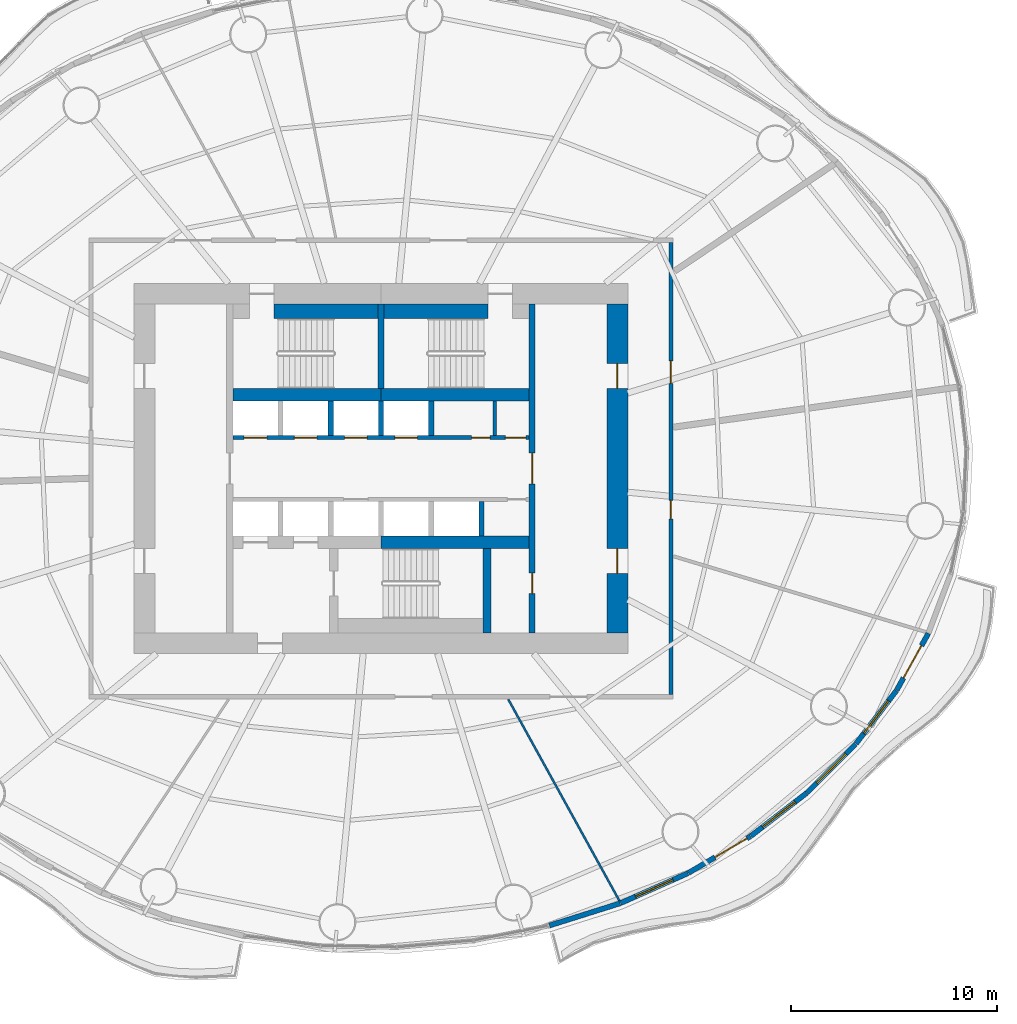
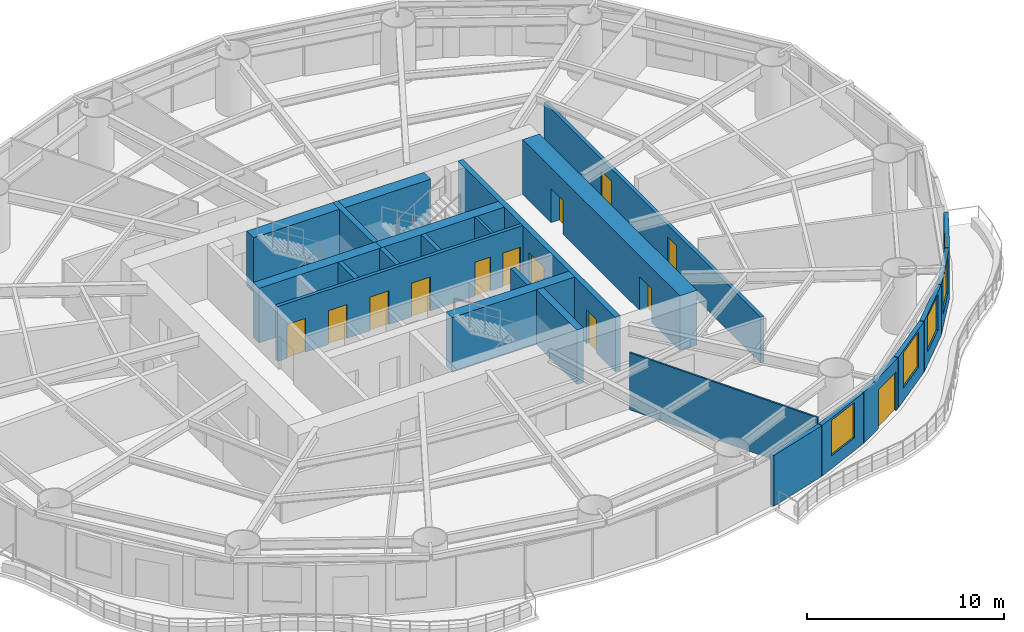
# One storey, part 9 of 16: 24 walls, 14 doors, 4 windows, 18 openings.
"""IFC4 building model written with IfcOpenShell, lengths in metres."""

from ifc_helpers import new_model, si_unit, direction, frame, frame_2d, origin, place, context, subcontext, project, spatial, rectangle, extrude, material, layer, layer_set, type_object, element, fill, save


model = new_model("IFC4")

# Units and contexts
model_context = context("Model", 3, precision=1e-05, world=origin(), true_north=direction((0.0, 1.0)))
body_context = subcontext(model_context, "Body", "Model", "MODEL_VIEW")
ifc_project = project(units=[si_unit("LENGTHUNIT", "METRE"), si_unit("AREAUNIT", "SQUARE_METRE"), si_unit("VOLUMEUNIT", "CUBIC_METRE"), si_unit("PLANEANGLEUNIT", "RADIAN"), si_unit("MASSUNIT", "GRAM", prefix="KILO")], contexts=[model_context])

# Site, building, storey
site_placement = place(None, origin())
site = spatial("IfcSite", under=ifc_project, at=site_placement, CompositionType="ELEMENT")
building_placement = place(site_placement, origin())
building = spatial("IfcBuilding", under=site, at=building_placement, Name="Vermilion Reach Broadcast Tower", CompositionType="ELEMENT")
storey_placement = place(building_placement, frame((0.0, 0.0, 43.39990234375)))
storey = spatial("IfcBuildingStorey", under=building, at=storey_placement, Name="L07", CompositionType="ELEMENT", Elevation=43.39990234375)

# Wall, openings, doors
ifc_material_1 = material(Name="Concrete C70", Category="concrete")
ifc_layer_1 = layer(ifc_material_1, 0.300048828125)
ifc_layer_set_1 = layer_set([ifc_layer_1], Name="Core inner wall 300 mm Concrete C70")
wall_type_1 = type_object("IfcWallType", Name="Core inner wall 300 mm Concrete C70", PredefinedType="SHEAR", material=ifc_layer_set_1)
wall_1_placement = place(storey_placement, frame((1.35009765625, -8.0, 0.0), z_axis=(0.0, 0.0, 1.0), x_axis=(0.0, 1.0, 0.0)))
wall_1 = element("IfcWall", 1, at=wall_1_placement, inside=storey, type_object=wall_type_1, Name="L07 core wall ewE", PredefinedType="SHEAR", context=body_context, shape_type="SweptSolid", body=[
    extrude(rectangle(XDim=16.0, YDim=0.300048828125, at=frame_2d((8.0, 0.0))), origin(), (0.0, 0.0, 1.0), 3.400146484375),
])
opening_1_placement = place(wall_1_placement, frame((1.909912109375, 0.0, 0.0)))
opening_1 = element("IfcOpeningElement", 2, at=opening_1_placement, cuts=wall_1, Name="Opening D05", PredefinedType="OPENING", context=body_context, shape_type="SweptSolid", body=[
    extrude(rectangle(XDim=1.0, YDim=2.10009765625, at=frame_2d((0.5, 1.050048828125))), frame((0.0, 0.159912109375, 0.0), z_axis=(0.0, -1.0, 0.0), x_axis=(1.0, 0.0, 0.0)), (0.0, 0.0, 1.0), 0.320068359375),
])
opening_2_placement = place(wall_1_placement, frame((7.25, 0.0, 0.0)))
opening_2 = element("IfcOpeningElement", 3, at=opening_2_placement, cuts=wall_1, Name="Opening D04", PredefinedType="OPENING", context=body_context, shape_type="SweptSolid", body=[
    extrude(rectangle(XDim=1.5, YDim=2.10009765625, at=frame_2d((0.75, 1.050048828125))), frame((0.0, 0.159912109375, 0.0), z_axis=(0.0, -1.0, 0.0), x_axis=(1.0, 0.0, 0.0)), (0.0, 0.0, 1.0), 0.320068359375),
])
ifc_material_2 = material(Name="Painted steel fire door", Category="steel")
door_type_1 = type_object("IfcDoorType", Name="Lift lobby door 1500 x 2100", OperationType="DOUBLE_DOOR_SINGLE_SWING", PredefinedType="NOTDEFINED", material=ifc_material_2)
door_1_placement = place(opening_2_placement, origin())
door_1 = element("IfcDoor", 4, at=door_1_placement, inside=storey, type_object=door_type_1, Name="L07 band door BE", OperationType="DOUBLE_DOOR_SINGLE_SWING", OverallHeight=2.10009765625, OverallWidth=1.5, PredefinedType="NOTDEFINED", context=body_context, shape_type="SweptSolid", body=[
    extrude(rectangle(XDim=1.5, YDim=2.10009765625, at=frame_2d((0.75, 1.050048828125))), frame((0.0, 0.02490234375, 0.0), z_axis=(0.0, -1.0, 0.0), x_axis=(1.0, 0.0, 0.0)), (0.0, 0.0, 1.0), 0.050048828125),
])
fill(opening_2, door_1)
ifc_material_3 = material(Name="Timber door", Category="wood")
door_type_2 = type_object("IfcDoorType", Name="Room door 1000 x 2100", OperationType="NOTDEFINED", PredefinedType="NOTDEFINED", material=ifc_material_3)
door_2_placement = place(opening_1_placement, origin())
door_2 = element("IfcDoor", 5, at=door_2_placement, inside=storey, type_object=door_type_2, Name="L07 door SER", OperationType="SINGLE_SWING_LEFT", OverallHeight=2.10009765625, OverallWidth=1.0, PredefinedType="NOTDEFINED", context=body_context, shape_type="SweptSolid", body=[
    extrude(rectangle(XDim=1.0, YDim=2.10009765625, at=frame_2d((0.5, 1.050048828125))), frame((0.0, 0.02490234375, 0.0), z_axis=(0.0, -1.0, 0.0), x_axis=(1.0, 0.0, 0.0)), (0.0, 0.0, 1.0), 0.050048828125),
])
fill(opening_1, door_2)

# Walls
wall_2_placement = place(storey_placement, frame((-6.0, 3.8798828125, 0.0), z_axis=(0.0, 0.0, 1.0), x_axis=(0.0, 1.0, 0.0)))
element("IfcWall", 6, at=wall_2_placement, inside=storey, type_object=wall_type_1, Name="L07 core wall wc", PredefinedType="SHEAR", context=body_context, shape_type="SweptSolid", body=[
    extrude(rectangle(XDim=4.1201171875, YDim=0.300048828125, at=frame_2d((2.06005859375, 0.0))), origin(), (0.0, 0.0, 1.0), 3.400146484375),
])
ifc_material_4 = material(Name="Concrete C70", Category="concrete")
ifc_layer_2 = layer(ifc_material_4, 0.39990234375)
ifc_layer_set_2 = layer_set([ifc_layer_2], Name="Core inner wall 400 mm Concrete C70")
wall_type_2 = type_object("IfcWallType", Name="Core inner wall 400 mm Concrete C70", PredefinedType="SHEAR", material=ifc_layer_set_2)
wall_3_placement = place(storey_placement, frame((-0.85009765625, -3.8798828125, 0.0), z_axis=(0.0, 0.0, 1.0), x_axis=(0.0, -1.0, 0.0)))
element("IfcWall", 7, at=wall_3_placement, inside=storey, type_object=wall_type_2, Name="L07 core wall wb", PredefinedType="SHEAR", context=body_context, shape_type="SweptSolid", body=[
    extrude(rectangle(XDim=4.1201171875, YDim=0.39990234375, at=frame_2d((2.06005859375, 0.0))), origin(), (0.0, 0.0, 1.0), 3.400146484375),
])
ifc_material_5 = material(Name="Concrete C70", Category="concrete")
ifc_layer_3 = layer(ifc_material_5, 0.60009765625)
ifc_layer_set_3 = layer_set([ifc_layer_3], Name="Core inner wall 600 mm Concrete C70")
wall_type_3 = type_object("IfcWallType", Name="Core inner wall 600 mm Concrete C70", PredefinedType="SHEAR", material=ifc_layer_set_3)
for number, where, z_axis, x_axis, name in (
    (8, (-13.199951171875, 3.580078125, 0.0), (0.0, 0.0, 1.0), (1.0, 0.0, 0.0), "L07 core wall winW"),
    (9, (-6.0, 3.580078125, 0.0), (0.0, 0.0, 1.0), (1.0, 0.0, 0.0), "L07 core wall winE"),
    (10, (-6.0, -3.580078125, 0.0), (0.0, 0.0, 1.0), (1.0, 0.0, 0.0), "L07 core wall wisE"),
):
    element("IfcWall", number, at=place(storey_placement, frame(where, z_axis=z_axis, x_axis=x_axis)), inside=storey, type_object=wall_type_3, Name=name, PredefinedType="SHEAR", context=body_context, shape_type="SweptSolid", body=[
        extrude(rectangle(XDim=7.199951171875, YDim=0.60009765625, at=frame_2d((3.60009765625, 0.0))), origin(), (0.0, 0.0, 1.0), 3.400146484375),
    ])

# Wall, openings, doors
ifc_material_6 = material(Name="Concrete C70", Category="concrete")
ifc_layer_4 = layer(ifc_material_6, 1.0)
ifc_layer_set_4 = layer_set([ifc_layer_4], Name="Core outer wall 1000 mm Concrete C70")
wall_type_4 = type_object("IfcWallType", Name="Core outer wall 1000 mm Concrete C70", PredefinedType="SHEAR", material=ifc_layer_set_4)
wall_4_placement = place(storey_placement, frame((5.5, -8.0, 0.0), z_axis=(0.0, 0.0, 1.0), x_axis=(0.0, 1.0, 0.0)))
wall_4 = element("IfcWall", 11, at=wall_4_placement, inside=storey, type_object=wall_type_4, Name="L07 core wall oe", PredefinedType="SHEAR", context=body_context, shape_type="SweptSolid", body=[
    extrude(rectangle(XDim=16.0, YDim=1.0, at=frame_2d((8.0, 0.0))), origin(), (0.0, 0.0, 1.0), 3.400146484375),
])
opening_3_placement = place(wall_4_placement, frame((2.89990234375, 0.0, 0.0)))
opening_3 = element("IfcOpeningElement", 12, at=opening_3_placement, cuts=wall_4, Name="Opening D03", PredefinedType="OPENING", context=body_context, shape_type="SweptSolid", body=[
    extrude(rectangle(XDim=1.199951171875, YDim=2.10009765625, at=frame_2d((0.60009765625, 1.050048828125))), frame((0.0, 0.510009765625, 0.0), z_axis=(0.0, -1.0, 0.0), x_axis=(1.0, 0.0, 0.0)), (0.0, 0.0, 1.0), 1.02001953125),
])
opening_4_placement = place(wall_4_placement, frame((11.89990234375, 0.0, 0.0)))
opening_4 = element("IfcOpeningElement", 13, at=opening_4_placement, cuts=wall_4, Name="Opening D03", PredefinedType="OPENING", context=body_context, shape_type="SweptSolid", body=[
    extrude(rectangle(XDim=1.199951171875, YDim=2.10009765625, at=frame_2d((0.60009765625, 1.050048828125))), frame((0.0, 0.510009765625, 0.0), z_axis=(0.0, -1.0, 0.0), x_axis=(1.0, 0.0, 0.0)), (0.0, 0.0, 1.0), 1.02001953125),
])
ifc_material_7 = material(Name="Painted steel fire door", Category="steel")
door_type_3 = type_object("IfcDoorType", Name="Core lobby door 1200 x 2100", OperationType="DOUBLE_DOOR_SINGLE_SWING", PredefinedType="NOTDEFINED", material=ifc_material_7)
door_3_placement = place(opening_3_placement, origin())
door_3 = element("IfcDoor", 14, at=door_3_placement, inside=storey, type_object=door_type_3, Name="L07 slot door E0", OperationType="DOUBLE_DOOR_SINGLE_SWING", OverallHeight=2.10009765625, OverallWidth=1.199951171875, PredefinedType="NOTDEFINED", context=body_context, shape_type="SweptSolid", body=[
    extrude(rectangle(XDim=1.199951171875, YDim=2.10009765625, at=frame_2d((0.60009765625, 1.050048828125))), frame((0.0, 0.02490234375, 0.0), z_axis=(0.0, -1.0, 0.0), x_axis=(1.0, 0.0, 0.0)), (0.0, 0.0, 1.0), 0.050048828125),
])
fill(opening_3, door_3)
door_4_placement = place(opening_4_placement, origin())
door_4 = element("IfcDoor", 15, at=door_4_placement, inside=storey, type_object=door_type_3, Name="L07 slot door E1", OperationType="DOUBLE_DOOR_SINGLE_SWING", OverallHeight=2.10009765625, OverallWidth=1.199951171875, PredefinedType="NOTDEFINED", context=body_context, shape_type="SweptSolid", body=[
    extrude(rectangle(XDim=1.199951171875, YDim=2.10009765625, at=frame_2d((0.60009765625, 1.050048828125))), frame((0.0, 0.02490234375, 0.0), z_axis=(0.0, -1.0, 0.0), x_axis=(1.0, 0.0, 0.0)), (0.0, 0.0, 1.0), 0.050048828125),
])
fill(opening_4, door_4)

# Wall
ifc_material_8 = material(Name="Masonry block", Category="masonry")
ifc_layer_5 = layer(ifc_material_8, 0.14990234375)
ifc_layer_set_5 = layer_set([ifc_layer_5], Name="Core partition wall 150 mm Masonry block")
wall_type_5 = type_object("IfcWallType", Name="Core partition wall 150 mm Masonry block", PredefinedType="PARTITIONING", material=ifc_layer_set_5)
wall_5_placement = place(storey_placement, frame((-0.468017578125, 1.60009765625, 0.0), z_axis=(0.0, 0.0, 1.0), x_axis=(0.0, 1.0, 0.0)))
element("IfcWall", 16, at=wall_5_placement, inside=storey, type_object=wall_type_5, Name="L07 core wall prN5532", PredefinedType="PARTITIONING", context=body_context, shape_type="SweptSolid", body=[
    extrude(rectangle(XDim=1.679931640625, YDim=0.14990234375, at=frame_2d((0.83984375, 0.0))), origin(), (0.0, 0.0, 1.0), 3.400146484375),
])

# Wall, openings, doors
ifc_material_9 = material(Name="Concrete C50", Category="concrete")
ifc_layer_6 = layer(ifc_material_9, 0.199951171875)
ifc_layer_set_6 = layer_set([ifc_layer_6], Name="Core shaft wall 200 mm Concrete C50")
wall_type_6 = type_object("IfcWallType", Name="Core shaft wall 200 mm Concrete C50", PredefinedType="SHEAR", material=ifc_layer_set_6)
wall_6_placement = place(storey_placement, frame((-13.199951171875, 1.5, 0.0), z_axis=(0.0, 0.0, 1.0), x_axis=(1.0, 0.0, 0.0)))
wall_6 = element("IfcWall", 17, at=wall_6_placement, inside=storey, type_object=wall_type_6, Name="L07 core wall fn", PredefinedType="SHEAR", context=body_context, shape_type="SweptSolid", body=[
    extrude(rectangle(XDim=14.39990234375, YDim=0.199951171875, at=frame_2d((7.199951171875, 0.0))), origin(), (0.0, 0.0, 1.0), 3.400146484375),
])
opening_5_placement = place(wall_6_placement, frame((0.5458984375, 0.0, 0.0)))
opening_5 = element("IfcOpeningElement", 18, at=opening_5_placement, cuts=wall_6, Name="Opening LD2", PredefinedType="OPENING", context=body_context, shape_type="SweptSolid", body=[
    extrude(rectangle(XDim=1.10009765625, YDim=2.10009765625, at=frame_2d((0.550048828125, 1.050048828125))), frame((0.0, 0.10986328125, 0.0), z_axis=(0.0, -1.0, 0.0), x_axis=(1.0, 0.0, 0.0)), (0.0, 0.0, 1.0), 0.219970703125),
])
opening_6_placement = place(wall_6_placement, frame((2.987548828125, 0.0, 0.0)))
opening_6 = element("IfcOpeningElement", 19, at=opening_6_placement, cuts=wall_6, Name="Opening LD2", PredefinedType="OPENING", context=body_context, shape_type="SweptSolid", body=[
    extrude(rectangle(XDim=1.10009765625, YDim=2.10009765625, at=frame_2d((0.550048828125, 1.050048828125))), frame((0.0, 0.10986328125, 0.0), z_axis=(0.0, -1.0, 0.0), x_axis=(1.0, 0.0, 0.0)), (0.0, 0.0, 1.0), 0.219970703125),
])
opening_7_placement = place(wall_6_placement, frame((5.42919921875, 0.0, 0.0)))
opening_7 = element("IfcOpeningElement", 20, at=opening_7_placement, cuts=wall_6, Name="Opening LD2", PredefinedType="OPENING", context=body_context, shape_type="SweptSolid", body=[
    extrude(rectangle(XDim=1.10009765625, YDim=2.10009765625, at=frame_2d((0.550048828125, 1.050048828125))), frame((0.0, 0.10986328125, 0.0), z_axis=(0.0, -1.0, 0.0), x_axis=(1.0, 0.0, 0.0)), (0.0, 0.0, 1.0), 0.219970703125),
])
opening_8_placement = place(wall_6_placement, frame((7.870849609375, 0.0, 0.0)))
opening_8 = element("IfcOpeningElement", 21, at=opening_8_placement, cuts=wall_6, Name="Opening LD2", PredefinedType="OPENING", context=body_context, shape_type="SweptSolid", body=[
    extrude(rectangle(XDim=1.10009765625, YDim=2.10009765625, at=frame_2d((0.550048828125, 1.050048828125))), frame((0.0, 0.10986328125, 0.0), z_axis=(0.0, -1.0, 0.0), x_axis=(1.0, 0.0, 0.0)), (0.0, 0.0, 1.0), 0.219970703125),
])
opening_9_placement = place(wall_6_placement, frame((11.60693359375, 0.0, 0.0)))
opening_9 = element("IfcOpeningElement", 22, at=opening_9_placement, cuts=wall_6, Name="Opening D06", PredefinedType="OPENING", context=body_context, shape_type="SweptSolid", body=[
    extrude(rectangle(XDim=0.89990234375, YDim=2.10009765625, at=frame_2d((0.449951171875, 1.050048828125))), frame((0.0, 0.10986328125, 0.0), z_axis=(0.0, -1.0, 0.0), x_axis=(1.0, 0.0, 0.0)), (0.0, 0.0, 1.0), 0.219970703125),
])
opening_10_placement = place(wall_6_placement, frame((13.25, 0.0, 0.0)))
opening_10 = element("IfcOpeningElement", 23, at=opening_10_placement, cuts=wall_6, Name="Opening D07", PredefinedType="OPENING", context=body_context, shape_type="SweptSolid", body=[
    extrude(rectangle(XDim=1.0, YDim=2.10009765625, at=frame_2d((0.5, 1.050048828125))), frame((0.0, 0.10986328125, 0.0), z_axis=(0.0, -1.0, 0.0), x_axis=(1.0, 0.0, 0.0)), (0.0, 0.0, 1.0), 0.219970703125),
])
ifc_material_10 = material(Name="Timber door", Category="wood")
door_type_4 = type_object("IfcDoorType", Name="Accessible WC door 1000 x 2100", OperationType="NOTDEFINED", PredefinedType="NOTDEFINED", material=ifc_material_10)
door_5_placement = place(opening_10_placement, origin())
door_5 = element("IfcDoor", 24, at=door_5_placement, inside=storey, type_object=door_type_4, Name="L07 door Accessible WC", OperationType="SINGLE_SWING_RIGHT", OverallHeight=2.10009765625, OverallWidth=1.0, PredefinedType="NOTDEFINED", context=body_context, shape_type="SweptSolid", body=[
    extrude(rectangle(XDim=1.0, YDim=2.10009765625, at=frame_2d((0.5, 1.050048828125))), frame((0.0, 0.02490234375, 0.0), z_axis=(0.0, -1.0, 0.0), x_axis=(1.0, 0.0, 0.0)), (0.0, 0.0, 1.0), 0.050048828125),
])
fill(opening_10, door_5)
ifc_material_11 = material(Name="Stainless steel", Category="steel")
door_type_5 = type_object("IfcDoorType", Name="Landing door 1100 x 2100", OperationType="DOUBLE_DOOR_SLIDING", PredefinedType="NOTDEFINED", material=ifc_material_11)
door_6_placement = place(opening_5_placement, origin())
door_6 = element("IfcDoor", 25, at=door_6_placement, inside=storey, type_object=door_type_5, Name="L07 landing door LR1", OperationType="DOUBLE_DOOR_SLIDING", OverallHeight=2.10009765625, OverallWidth=1.10009765625, PredefinedType="NOTDEFINED", context=body_context, shape_type="SweptSolid", body=[
    extrude(rectangle(XDim=1.10009765625, YDim=2.10009765625, at=frame_2d((0.550048828125, 1.050048828125))), frame((0.0, 0.02490234375, 0.0), z_axis=(0.0, -1.0, 0.0), x_axis=(1.0, 0.0, 0.0)), (0.0, 0.0, 1.0), 0.050048828125),
])
fill(opening_5, door_6)
door_7_placement = place(opening_6_placement, origin())
door_7 = element("IfcDoor", 26, at=door_7_placement, inside=storey, type_object=door_type_5, Name="L07 landing door LR2", OperationType="DOUBLE_DOOR_SLIDING", OverallHeight=2.10009765625, OverallWidth=1.10009765625, PredefinedType="NOTDEFINED", context=body_context, shape_type="SweptSolid", body=[
    extrude(rectangle(XDim=1.10009765625, YDim=2.10009765625, at=frame_2d((0.550048828125, 1.050048828125))), frame((0.0, 0.02490234375, 0.0), z_axis=(0.0, -1.0, 0.0), x_axis=(1.0, 0.0, 0.0)), (0.0, 0.0, 1.0), 0.050048828125),
])
fill(opening_6, door_7)
door_8_placement = place(opening_7_placement, origin())
door_8 = element("IfcDoor", 27, at=door_8_placement, inside=storey, type_object=door_type_5, Name="L07 landing door LR3", OperationType="DOUBLE_DOOR_SLIDING", OverallHeight=2.10009765625, OverallWidth=1.10009765625, PredefinedType="NOTDEFINED", context=body_context, shape_type="SweptSolid", body=[
    extrude(rectangle(XDim=1.10009765625, YDim=2.10009765625, at=frame_2d((0.550048828125, 1.050048828125))), frame((0.0, 0.02490234375, 0.0), z_axis=(0.0, -1.0, 0.0), x_axis=(1.0, 0.0, 0.0)), (0.0, 0.0, 1.0), 0.050048828125),
])
fill(opening_7, door_8)
door_9_placement = place(opening_8_placement, origin())
door_9 = element("IfcDoor", 28, at=door_9_placement, inside=storey, type_object=door_type_5, Name="L07 landing door LR4", OperationType="DOUBLE_DOOR_SLIDING", OverallHeight=2.10009765625, OverallWidth=1.10009765625, PredefinedType="NOTDEFINED", context=body_context, shape_type="SweptSolid", body=[
    extrude(rectangle(XDim=1.10009765625, YDim=2.10009765625, at=frame_2d((0.550048828125, 1.050048828125))), frame((0.0, 0.02490234375, 0.0), z_axis=(0.0, -1.0, 0.0), x_axis=(1.0, 0.0, 0.0)), (0.0, 0.0, 1.0), 0.050048828125),
])
fill(opening_8, door_9)
ifc_material_12 = material(Name="Timber door", Category="wood")
door_type_6 = type_object("IfcDoorType", Name="WC door 900 x 2100", OperationType="NOTDEFINED", PredefinedType="NOTDEFINED", material=ifc_material_12)
door_10_placement = place(opening_9_placement, origin())
door_10 = element("IfcDoor", 29, at=door_10_placement, inside=storey, type_object=door_type_6, Name="L07 door Female WC", OperationType="SINGLE_SWING_RIGHT", OverallHeight=2.10009765625, OverallWidth=0.89990234375, PredefinedType="NOTDEFINED", context=body_context, shape_type="SweptSolid", body=[
    extrude(rectangle(XDim=0.89990234375, YDim=2.10009765625, at=frame_2d((0.449951171875, 1.050048828125))), frame((0.0, 0.02490234375, 0.0), z_axis=(0.0, -1.0, 0.0), x_axis=(1.0, 0.0, 0.0)), (0.0, 0.0, 1.0), 0.050048828125),
])
fill(opening_9, door_10)

# Walls
ifc_material_13 = material(Name="Concrete C50", Category="concrete")
ifc_layer_7 = layer(ifc_material_13, 0.25)
ifc_layer_set_7 = layer_set([ifc_layer_7], Name="Core shaft wall 250 mm Concrete C50")
wall_type_7 = type_object("IfcWallType", Name="Core shaft wall 250 mm Concrete C50", PredefinedType="SHEAR", material=ifc_layer_set_7)
for number, where, z_axis, x_axis, name in (
    (30, (-8.441650390625, 1.60009765625, 0.0), (0.0, 0.0, 1.0), (0.0, 1.0, 0.0), "L07 core wall psN1"),
    (31, (-6.0, 1.60009765625, 0.0), (0.0, 0.0, 1.0), (0.0, 1.0, 0.0), "L07 core wall psN2"),
    (32, (-3.558349609375, 1.60009765625, 0.0), (0.0, 0.0, 1.0), (0.0, 1.0, 0.0), "L07 core wall psN3"),
    (33, (-1.11669921875, -1.60009765625, 0.0), (0.0, 0.0, 1.0), (0.0, -1.0, 0.0), "L07 core wall psS4"),
):
    element("IfcWall", number, at=place(storey_placement, frame(where, z_axis=z_axis, x_axis=x_axis)), inside=storey, type_object=wall_type_7, Name=name, PredefinedType="SHEAR", context=body_context, shape_type="SweptSolid", body=[
        extrude(rectangle(XDim=1.679931640625, YDim=0.25, at=frame_2d((0.83984375, 0.0))), origin(), (0.0, 0.0, 1.0), 3.400146484375),
    ])
ifc_material_14 = material(Name="Concrete C70", Category="concrete")
ifc_layer_8 = layer(ifc_material_14, 0.699951171875)
ifc_layer_set_8 = layer_set([ifc_layer_8], Name="Core stair wall 700 mm Concrete C70")
wall_type_8 = type_object("IfcWallType", Name="Core stair wall 700 mm Concrete C70", PredefinedType="SHEAR", material=ifc_layer_set_8)
for number, where, z_axis, x_axis, name in (
    (34, (-11.199951171875, 7.64990234375, 0.0), (0.0, 0.0, 1.0), (1.0, 0.0, 0.0), "L07 core wall l1b"),
    (35, (-5.85009765625, 7.64990234375, 0.0), (0.0, 0.0, 1.0), (1.0, 0.0, 0.0), "L07 core wall l2a"),
):
    element("IfcWall", number, at=place(storey_placement, frame(where, z_axis=z_axis, x_axis=x_axis)), inside=storey, type_object=wall_type_8, Name=name, PredefinedType="SHEAR", context=body_context, shape_type="SweptSolid", body=[
        extrude(rectangle(XDim=5.050048828125, YDim=0.699951171875, at=frame_2d((2.52490234375, 0.0))), origin(), (0.0, 0.0, 1.0), 3.400146484375),
    ])
ifc_material_15 = material(Name="Plasterboard on steel stud", Category="steel")
ifc_layer_9 = layer(ifc_material_15, 0.10009765625)
ifc_layer_set_9 = layer_set([ifc_layer_9], Name="Partition 100 steel stud")
wall_type_9 = type_object("IfcWallType", Name="Partition 100 steel stud", PredefinedType="PARTITIONING", material=ifc_layer_set_9)
wall_7_placement = place(storey_placement, frame((5.5947265625, -21.022705078125, 0.0), z_axis=(0.0, 0.0, 1.0), x_axis=(-0.482952757362, 0.875646409321, 0.0)))
element("IfcWall", 36, at=wall_7_placement, inside=storey, type_object=wall_type_9, Name="Partition 7.08", PredefinedType="PARTITIONING", context=body_context, shape_type="SweptSolid", body=[
    extrude(rectangle(XDim=11.190185546875, YDim=0.10009765625, at=frame_2d((5.59521484375, 0.0))), origin(), (0.0, 0.0, 1.0), 3.550048828125),
])
ifc_material_16 = material(Name="Terracotta rainscreen cladding", Category="masonry")
ifc_layer_10 = layer(ifc_material_16, 0.25)
ifc_layer_set_10 = layer_set([ifc_layer_10], Name="Terracotta rainscreen wall 250")
wall_type_10 = type_object("IfcWallType", Name="Terracotta rainscreen wall 250", PredefinedType="SOLIDWALL", material=ifc_layer_set_10)
wall_8_placement = place(storey_placement, frame((2.191162109375, -22.224365234375, 0.0), z_axis=(0.0, 0.0, 1.0), x_axis=(0.953906738278, 0.300103206694, 0.0)))
element("IfcWall", 37, at=wall_8_placement, inside=storey, type_object=wall_type_10, Name="External wall L07 38", PredefinedType="SOLIDWALL", context=body_context, shape_type="SweptSolid", body=[
    extrude(rectangle(XDim=3.60302734375, YDim=0.25, at=frame_2d((1.801513671875, 0.0))), origin(), (0.0, 0.0, 1.0), 3.150146484375),
])

# Wall, opening, window
wall_9_placement = place(storey_placement, frame((5.64892578125, -21.13525390625, 0.0), z_axis=(0.0, 0.0, 1.0), x_axis=(0.914061167201, 0.405576358552, 0.0)))
wall_9 = element("IfcWall", 38, at=wall_9_placement, inside=storey, type_object=wall_type_10, Name="External wall L07 39", PredefinedType="SOLIDWALL", context=body_context, shape_type="SweptSolid", body=[
    extrude(rectangle(XDim=3.587158203125, YDim=0.25, at=frame_2d((1.79345703125, 0.0))), origin(), (0.0, 0.0, 1.0), 3.150146484375),
])
opening_11_placement = place(wall_9_placement, frame((0.79345703125, 0.0, 0.800048828125)))
opening_11 = element("IfcOpeningElement", 39, at=opening_11_placement, cuts=wall_9, Name="Opening W01", PredefinedType="OPENING", context=body_context, shape_type="SweptSolid", body=[
    extrude(rectangle(XDim=2.0, YDim=2.199951171875, at=frame_2d((1.0, 1.10009765625))), frame((0.0, 0.135009765625, 0.0), z_axis=(0.0, -1.0, 0.0), x_axis=(1.0, 0.0, 0.0)), (0.0, 0.0, 1.0), 0.27001953125),
])
ifc_material_17 = material(Name="Low-e laminated clear glass in aluminium frame", Category="aluminium")
window_type = type_object("IfcWindowType", Name="Punched window 2000 x 2200 sill 800", PartitioningType="SINGLE_PANEL", PredefinedType="WINDOW", material=ifc_material_17)
window_1_placement = place(opening_11_placement, origin())
window_1 = element("IfcWindow", 40, at=window_1_placement, inside=storey, type_object=window_type, Name="Window L07 39", OverallHeight=2.199951171875, OverallWidth=2.0, PartitioningType="SINGLE_PANEL", PredefinedType="WINDOW", context=body_context, shape_type="SweptSolid", body=[
    extrude(rectangle(XDim=2.0, YDim=2.199951171875, at=frame_2d((1.0, 1.10009765625))), frame((0.0, 0.030029296875, 0.0), z_axis=(0.0, -1.0, 0.0), x_axis=(1.0, 0.0, 0.0)), (0.0, 0.0, 1.0), 0.06005859375),
])
fill(opening_11, window_1)

# Wall, opening, door
wall_10_placement = place(storey_placement, frame((8.947998046875, -19.670166015625, 0.0), z_axis=(0.0, 0.0, 1.0), x_axis=(0.860556783273, 0.509354515796, 0.0)))
wall_10 = element("IfcWall", 41, at=wall_10_placement, inside=storey, type_object=wall_type_10, Name="External wall L07 40", PredefinedType="SOLIDWALL", context=body_context, shape_type="SweptSolid", body=[
    extrude(rectangle(XDim=3.511962890625, YDim=0.25, at=frame_2d((1.755859375, 0.0))), origin(), (0.0, 0.0, 1.0), 3.150146484375),
])
opening_12_placement = place(wall_10_placement, frame((1.506103515625, 0.0, 0.0)))
opening_12 = element("IfcOpeningElement", 42, at=opening_12_placement, cuts=wall_10, Name="Opening D70", PredefinedType="OPENING", context=body_context, shape_type="SweptSolid", body=[
    extrude(rectangle(XDim=1.800048828125, YDim=2.39990234375, at=frame_2d((0.89990234375, 1.199951171875))), frame((0.0, 0.135009765625, 0.0), z_axis=(0.0, -1.0, 0.0), x_axis=(1.0, 0.0, 0.0)), (0.0, 0.0, 1.0), 0.27001953125),
])
ifc_material_18 = material(Name="Low-e laminated clear glass in aluminium frame", Category="aluminium")
door_type_7 = type_object("IfcDoorType", Name="Balcony sliding door 1800 x 2400", OperationType="DOUBLE_DOOR_SLIDING", PredefinedType="DOOR", material=ifc_material_18)
door_11_placement = place(opening_12_placement, origin())
door_11 = element("IfcDoor", 43, at=door_11_placement, inside=storey, type_object=door_type_7, Name="Balcony door L07 run 10", OperationType="DOUBLE_DOOR_SLIDING", OverallHeight=2.39990234375, OverallWidth=1.800048828125, PredefinedType="DOOR", context=body_context, shape_type="SweptSolid", body=[
    extrude(rectangle(XDim=1.800048828125, YDim=2.39990234375, at=frame_2d((0.89990234375, 1.199951171875))), frame((0.0, 0.02490234375, 0.0), z_axis=(0.0, -1.0, 0.0), x_axis=(1.0, 0.0, 0.0)), (0.0, 0.0, 1.0), 0.050048828125),
])
fill(opening_12, door_11)

# Wall, opening, window
wall_11_placement = place(storey_placement, frame((11.989501953125, -17.8681640625, 0.0), z_axis=(0.0, 0.0, 1.0), x_axis=(0.792064745515, 0.610437088415, 0.0)))
wall_11 = element("IfcWall", 44, at=wall_11_placement, inside=storey, type_object=wall_type_10, Name="External wall L07 41", PredefinedType="SOLIDWALL", context=body_context, shape_type="SweptSolid", body=[
    extrude(rectangle(XDim=3.42626953125, YDim=0.25, at=frame_2d((1.713134765625, 0.0))), origin(), (0.0, 0.0, 1.0), 3.150146484375),
])
opening_13_placement = place(wall_11_placement, frame((0.713134765625, 0.0, 0.800048828125)))
opening_13 = element("IfcOpeningElement", 45, at=opening_13_placement, cuts=wall_11, Name="Opening W01", PredefinedType="OPENING", context=body_context, shape_type="SweptSolid", body=[
    extrude(rectangle(XDim=2.0, YDim=2.199951171875, at=frame_2d((1.0, 1.10009765625))), frame((0.0, 0.135009765625, 0.0), z_axis=(0.0, -1.0, 0.0), x_axis=(1.0, 0.0, 0.0)), (0.0, 0.0, 1.0), 0.27001953125),
])
window_2_placement = place(opening_13_placement, origin())
window_2 = element("IfcWindow", 46, at=window_2_placement, inside=storey, type_object=window_type, Name="Window L07 41", OverallHeight=2.199951171875, OverallWidth=2.0, PartitioningType="SINGLE_PANEL", PredefinedType="WINDOW", context=body_context, shape_type="SweptSolid", body=[
    extrude(rectangle(XDim=2.0, YDim=2.199951171875, at=frame_2d((1.0, 1.10009765625))), frame((0.0, 0.030029296875, 0.0), z_axis=(0.0, -1.0, 0.0), x_axis=(1.0, 0.0, 0.0)), (0.0, 0.0, 1.0), 0.06005859375),
])
fill(opening_13, window_2)

wall_12_placement = place(storey_placement, frame((14.721435546875, -15.7607421875, 0.0), z_axis=(0.0, 0.0, 1.0), x_axis=(0.707362946123, 0.706850523415, 0.0)))
wall_12 = element("IfcWall", 47, at=wall_12_placement, inside=storey, type_object=wall_type_10, Name="External wall L07 42", PredefinedType="SOLIDWALL", context=body_context, shape_type="SweptSolid", body=[
    extrude(rectangle(XDim=3.335205078125, YDim=0.25, at=frame_2d((1.66748046875, 0.0))), origin(), (0.0, 0.0, 1.0), 3.150146484375),
])
opening_14_placement = place(wall_12_placement, frame((0.667724609375, 0.0, 0.800048828125)))
opening_14 = element("IfcOpeningElement", 48, at=opening_14_placement, cuts=wall_12, Name="Opening W01", PredefinedType="OPENING", context=body_context, shape_type="SweptSolid", body=[
    extrude(rectangle(XDim=2.0, YDim=2.199951171875, at=frame_2d((1.0, 1.10009765625))), frame((0.0, 0.135009765625, 0.0), z_axis=(0.0, -1.0, 0.0), x_axis=(1.0, 0.0, 0.0)), (0.0, 0.0, 1.0), 0.27001953125),
])
window_3_placement = place(opening_14_placement, origin())
window_3 = element("IfcWindow", 49, at=window_3_placement, inside=storey, type_object=window_type, Name="Window L07 42", OverallHeight=2.199951171875, OverallWidth=2.0, PartitioningType="SINGLE_PANEL", PredefinedType="WINDOW", context=body_context, shape_type="SweptSolid", body=[
    extrude(rectangle(XDim=2.0, YDim=2.199951171875, at=frame_2d((1.0, 1.10009765625))), frame((0.0, 0.030029296875, 0.0), z_axis=(0.0, -1.0, 0.0), x_axis=(1.0, 0.0, 0.0)), (0.0, 0.0, 1.0), 0.06005859375),
])
fill(opening_14, window_3)

wall_13_placement = place(storey_placement, frame((17.09716796875, -13.384521484375, 0.0), z_axis=(0.0, 0.0, 1.0), x_axis=(0.605655469581, 0.795726996002, 0.0)))
wall_13 = element("IfcWall", 50, at=wall_13_placement, inside=storey, type_object=wall_type_10, Name="External wall L07 43", PredefinedType="SOLIDWALL", context=body_context, shape_type="SweptSolid", body=[
    extrude(rectangle(XDim=3.24462890625, YDim=0.25, at=frame_2d((1.622314453125, 0.0))), origin(), (0.0, 0.0, 1.0), 3.150146484375),
])
opening_15_placement = place(wall_13_placement, frame((0.622314453125, 0.0, 0.800048828125)))
opening_15 = element("IfcOpeningElement", 51, at=opening_15_placement, cuts=wall_13, Name="Opening W01", PredefinedType="OPENING", context=body_context, shape_type="SweptSolid", body=[
    extrude(rectangle(XDim=2.0, YDim=2.199951171875, at=frame_2d((1.0, 1.10009765625))), frame((0.0, 0.135009765625, 0.0), z_axis=(0.0, -1.0, 0.0), x_axis=(1.0, 0.0, 0.0)), (0.0, 0.0, 1.0), 0.27001953125),
])
window_4_placement = place(opening_15_placement, origin())
window_4 = element("IfcWindow", 52, at=window_4_placement, inside=storey, type_object=window_type, Name="Window L07 43", OverallHeight=2.199951171875, OverallWidth=2.0, PartitioningType="SINGLE_PANEL", PredefinedType="WINDOW", context=body_context, shape_type="SweptSolid", body=[
    extrude(rectangle(XDim=2.0, YDim=2.199951171875, at=frame_2d((1.0, 1.10009765625))), frame((0.0, 0.030029296875, 0.0), z_axis=(0.0, -1.0, 0.0), x_axis=(1.0, 0.0, 0.0)), (0.0, 0.0, 1.0), 0.06005859375),
])
fill(opening_15, window_4)

# Wall, opening, door
wall_14_placement = place(storey_placement, frame((19.076171875, -10.781005859375, 0.0), z_axis=(0.0, 0.0, 1.0), x_axis=(0.486652480259, 0.873595652152, 0.0)))
wall_14 = element("IfcWall", 53, at=wall_14_placement, inside=storey, type_object=wall_type_10, Name="External wall L07 44", PredefinedType="SOLIDWALL", context=body_context, shape_type="SweptSolid", body=[
    extrude(rectangle(XDim=3.1611328125, YDim=0.25, at=frame_2d((1.58056640625, 0.0))), origin(), (0.0, 0.0, 1.0), 3.150146484375),
])
opening_16_placement = place(wall_14_placement, frame((0.680908203125, 0.0, 0.0)))
opening_16 = element("IfcOpeningElement", 54, at=opening_16_placement, cuts=wall_14, Name="Opening D70", PredefinedType="OPENING", context=body_context, shape_type="SweptSolid", body=[
    extrude(rectangle(XDim=1.800048828125, YDim=2.39990234375, at=frame_2d((0.89990234375, 1.199951171875))), frame((0.0, 0.135009765625, 0.0), z_axis=(0.0, -1.0, 0.0), x_axis=(1.0, 0.0, 0.0)), (0.0, 0.0, 1.0), 0.27001953125),
])
door_12_placement = place(opening_16_placement, origin())
door_12 = element("IfcDoor", 55, at=door_12_placement, inside=storey, type_object=door_type_7, Name="Balcony door L07 run 11", OperationType="DOUBLE_DOOR_SLIDING", OverallHeight=2.39990234375, OverallWidth=1.800048828125, PredefinedType="DOOR", context=body_context, shape_type="SweptSolid", body=[
    extrude(rectangle(XDim=1.800048828125, YDim=2.39990234375, at=frame_2d((0.89990234375, 1.199951171875))), frame((0.0, 0.02490234375, 0.0), z_axis=(0.0, -1.0, 0.0), x_axis=(1.0, 0.0, 0.0)), (0.0, 0.0, 1.0), 0.050048828125),
])
fill(opening_16, door_12)

# Wall, openings, doors
ifc_material_19 = material(Name="Fire-rated gypsum board partition")
ifc_layer_11 = layer(ifc_material_19, 0.199951171875)
ifc_layer_set_11 = layer_set([ifc_layer_11], Name="Under girder: Corridor wall 200 fire-rated")
wall_type_11 = type_object("IfcWallType", Name="Under girder: Corridor wall 200 fire-rated", PredefinedType="PARTITIONING", material=ifc_layer_set_11)
wall_15_placement = place(storey_placement, frame((8.10009765625, 11.0, 0.0), z_axis=(0.0, 0.0, 1.0), x_axis=(0.0, -1.0, 0.0)))
wall_15 = element("IfcWall", 56, at=wall_15_placement, inside=storey, type_object=wall_type_11, Name="Corridor wall 7.E", PredefinedType="PARTITIONING", context=body_context, shape_type="SweptSolid", body=[
    extrude(rectangle(XDim=22.0, YDim=0.199951171875, at=frame_2d((11.0, 0.0))), origin(), (0.0, 0.0, 1.0), 2.85009765625),
])
opening_17_placement = place(wall_15_placement, frame((5.763916015625, 0.0, 0.0)))
opening_17 = element("IfcOpeningElement", 57, at=opening_17_placement, cuts=wall_15, Name="Opening D28", PredefinedType="OPENING", context=body_context, shape_type="SweptSolid", body=[
    extrude(rectangle(XDim=1.10009765625, YDim=2.10009765625, at=frame_2d((0.550048828125, 1.050048828125))), frame((0.0, 0.10986328125, 0.0), z_axis=(0.0, -1.0, 0.0), x_axis=(1.0, 0.0, 0.0)), (0.0, 0.0, 1.0), 0.219970703125),
])
opening_18_placement = place(wall_15_placement, frame((12.552001953125, 0.0, 0.0)))
opening_18 = element("IfcOpeningElement", 58, at=opening_18_placement, cuts=wall_15, Name="Opening D22", PredefinedType="OPENING", context=body_context, shape_type="SweptSolid", body=[
    extrude(rectangle(XDim=0.89990234375, YDim=2.10009765625, at=frame_2d((0.449951171875, 1.050048828125))), frame((0.0, 0.10986328125, 0.0), z_axis=(0.0, -1.0, 0.0), x_axis=(1.0, 0.0, 0.0)), (0.0, 0.0, 1.0), 0.219970703125),
])
ifc_material_20 = material(Name="Acoustic sound-lock door leaf")
door_type_8 = type_object("IfcDoorType", Name="Door single 1100x2100", OperationType="NOTDEFINED", PredefinedType="DOOR", material=ifc_material_20)
door_13_placement = place(opening_17_placement, origin())
door_13 = element("IfcDoor", 59, at=door_13_placement, inside=storey, type_object=door_type_8, Name="Door 7.01", OperationType="SINGLE_SWING_RIGHT", OverallHeight=2.10009765625, OverallWidth=1.10009765625, PredefinedType="DOOR", context=body_context, shape_type="SweptSolid", body=[
    extrude(rectangle(XDim=1.10009765625, YDim=2.10009765625, at=frame_2d((0.550048828125, 1.050048828125))), frame((0.0, 0.02490234375, 0.0), z_axis=(0.0, -1.0, 0.0), x_axis=(1.0, 0.0, 0.0)), (0.0, 0.0, 1.0), 0.050048828125),
])
fill(opening_17, door_13)
ifc_material_21 = material(Name="Timber door leaf", Category="wood")
door_type_9 = type_object("IfcDoorType", Name="Door single 900x2100", OperationType="NOTDEFINED", PredefinedType="DOOR", material=ifc_material_21)
door_14_placement = place(opening_18_placement, origin())
door_14 = element("IfcDoor", 60, at=door_14_placement, inside=storey, type_object=door_type_9, Name="Door 7.09", OperationType="SINGLE_SWING_RIGHT", OverallHeight=2.10009765625, OverallWidth=0.89990234375, PredefinedType="DOOR", context=body_context, shape_type="SweptSolid", body=[
    extrude(rectangle(XDim=0.89990234375, YDim=2.10009765625, at=frame_2d((0.449951171875, 1.050048828125))), frame((0.0, 0.02490234375, 0.0), z_axis=(0.0, -1.0, 0.0), x_axis=(1.0, 0.0, 0.0)), (0.0, 0.0, 1.0), 0.050048828125),
])
fill(opening_18, door_14)

save(model, "model.ifc")
